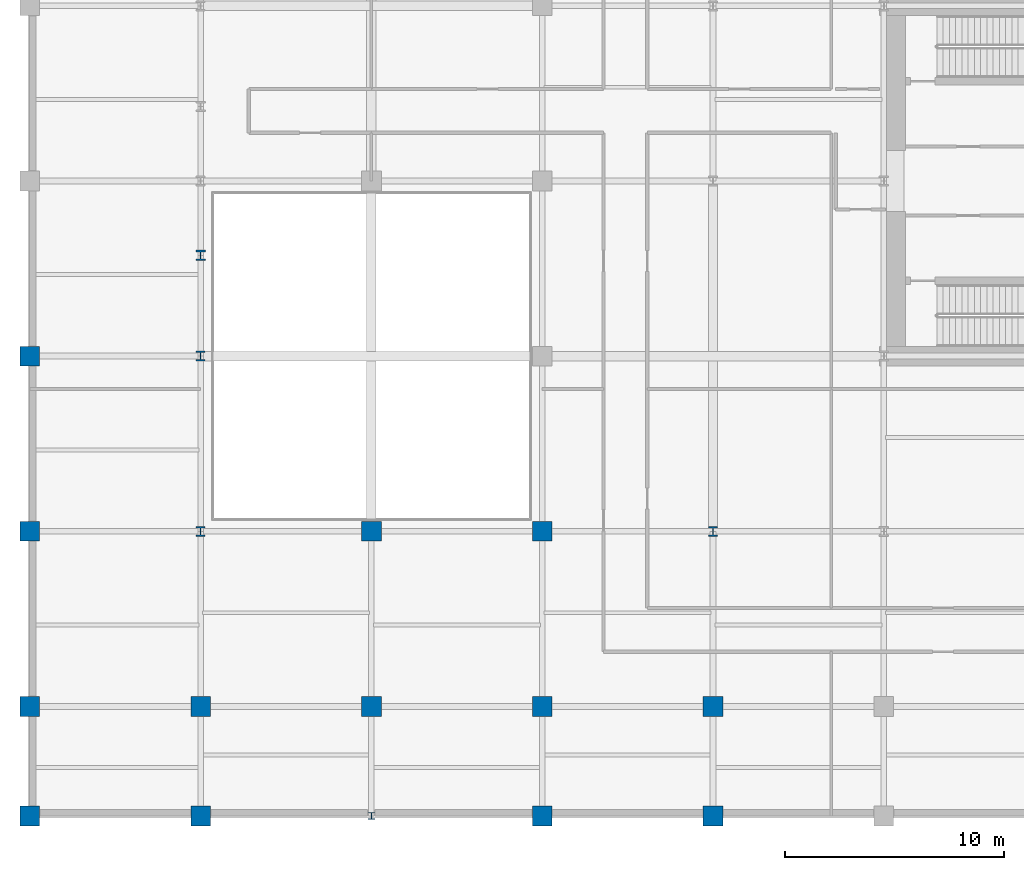
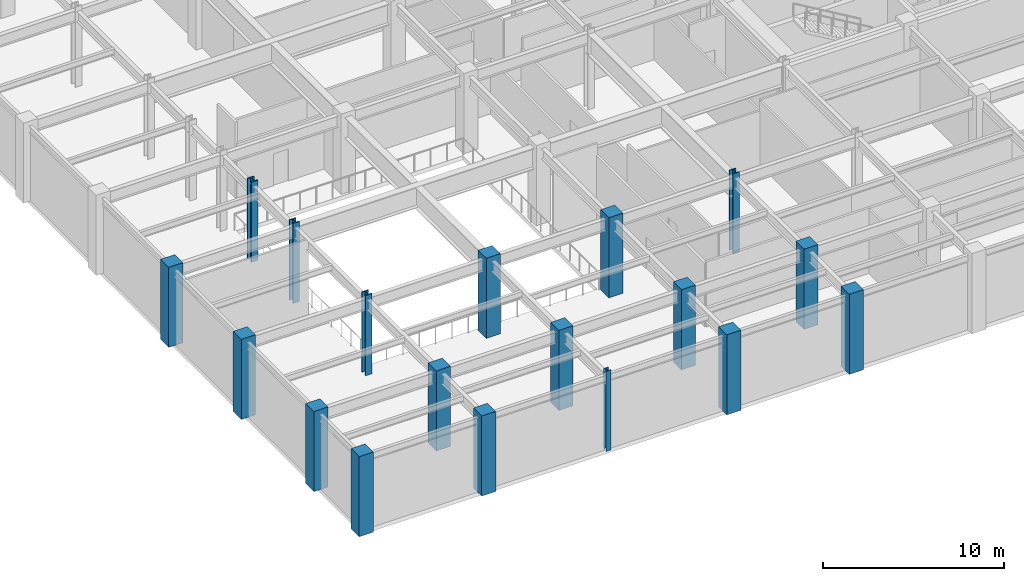
# One storey, part 1 of 13: 18 columns.
"""IFC4 building model written with IfcOpenShell, lengths in metres."""

import ifcopenshell
import ifcopenshell.guid

model = None  # the IFC model being written
_history = None  # IfcOwnerHistory: only IFC2X3 demands one
_inside = {}  # id of a spatial element -> (the spatial element, [elements in it])
_under = {}  # id of a project, library or spatial element -> (it, [spatial elements below it])
_declared = {}  # id of a project -> (the project, [libraries it declares])
_typed = {}  # id of a type object -> (the type object, [elements of that type])
_made_of = {}  # id of a material, layer set ... -> (it, [elements and type objects made of it])


def new_model(schema):
    """Start an empty IFC model of exactly this schema.

    Asked for "IFC4X3", IfcOpenShell would pick the latest addendum, in which some entities
    have other attributes; the version numbers below select the first issue.
    IFC2X3 requires an IfcOwnerHistory on every rooted entity: one is made here for all.
    """
    global model, _history
    if schema == "IFC4X3":
        model = ifcopenshell.file(schema_version=(4, 3, 0, 0))
    else:
        model = ifcopenshell.file(schema=schema)
    _inside.clear()
    _under.clear()
    _declared.clear()
    _typed.clear()
    _made_of.clear()
    _history = None
    if model.schema == "IFC2X3":
        org = make("IfcOrganization", Name="unknown")
        user = make(
            "IfcPersonAndOrganization",
            ThePerson=make("IfcPerson", FamilyName="unknown"),
            TheOrganization=org,
        )
        app = make(
            "IfcApplication",
            ApplicationDeveloper=org,
            Version="unknown",
            ApplicationFullName="unknown",
            ApplicationIdentifier="unknown",
        )
        _history = make(
            "IfcOwnerHistory",
            OwningUser=user,
            OwningApplication=app,
            ChangeAction="ADDED",
            CreationDate=0,
        )
    return model


def make(cls, **values):
    """One entity of the class cls with the attributes given. An attribute that is None is left unset."""
    return model.create_entity(
        cls, **{name: value for name, value in values.items() if value is not None}
    )


def rooted(cls, **values):
    """An entity with a GlobalId (a new one), such as an element, a storey or a relation."""
    return make(cls, GlobalId=ifcopenshell.guid.new(), OwnerHistory=_history, **values)


def si_unit(unit_type, name, prefix=None):
    """IfcSIUnit, for example si_unit("LENGTHUNIT", "METRE", prefix="MILLI")."""
    return make("IfcSIUnit", UnitType=unit_type, Prefix=prefix, Name=name)


def assignment(units):
    """IfcUnitAssignment: the units of a project."""
    return None if units is None else make("IfcUnitAssignment", Units=units)


def point(xyz):
    """IfcCartesianPoint."""
    return None if xyz is None else make("IfcCartesianPoint", Coordinates=xyz)


def direction(xyz):
    """IfcDirection."""
    return None if xyz is None else make("IfcDirection", DirectionRatios=xyz)


def frame(location, z_axis=None, x_axis=None):
    """IfcAxis2Placement3D, a coordinate frame: its origin and axes. An axis left out is left unset."""
    return make(
        "IfcAxis2Placement3D",
        Location=point(location),
        Axis=direction(z_axis),
        RefDirection=direction(x_axis),
    )


def frame_2d(location, x_axis=None):
    """IfcAxis2Placement2D, a coordinate frame in the plane: its origin and x axis."""
    return make(
        "IfcAxis2Placement2D", Location=point(location), RefDirection=direction(x_axis)
    )


def origin():
    """The frame at (0, 0, 0) with its axes left unset."""
    return frame((0.0, 0.0, 0.0))


def origin_2d():
    """The frame at (0, 0) in the plane with its x axis left unset."""
    return frame_2d((0.0, 0.0))


def place(relative_to, where):
    """IfcLocalPlacement: puts the frame where relative to a parent placement (None: the world)."""
    return make(
        "IfcLocalPlacement", PlacementRelTo=relative_to, RelativePlacement=where
    )


def context(
    kind, dimensions, precision=None, world=None, true_north=None, identifier=None
):
    """IfcGeometricRepresentationContext, for example the 3D "Model" context."""
    return make(
        "IfcGeometricRepresentationContext",
        ContextIdentifier=identifier,
        ContextType=kind,
        CoordinateSpaceDimension=dimensions,
        Precision=precision,
        WorldCoordinateSystem=world,
        TrueNorth=true_north,
    )


def subcontext(parent, identifier, kind, view, scale=None):
    """IfcGeometricRepresentationSubContext, for example "Body" below "Model"."""
    return make(
        "IfcGeometricRepresentationSubContext",
        ContextIdentifier=identifier,
        ContextType=kind,
        ParentContext=parent,
        TargetScale=scale,
        TargetView=view,
    )


def project(units=None, contexts=None):
    """IfcProject with its units and contexts."""
    return rooted(
        "IfcProject",
        Name="project",
        RepresentationContexts=contexts,
        UnitsInContext=assignment(units),
    )


def spatial(cls, under=None, at=None, **own):
    """A site, building, storey or space (cls), placed at a placement, below another one or the project."""
    s = rooted(cls, ObjectPlacement=at, **own)
    if under is not None:
        _under.setdefault(under.id(), (under, []))[1].append(s)
    return s


def profile(cls, at=None, kind="AREA", **sizes):
    """A parametric profile (cls). Its sizes go by their IFC names, for example OverallWidth=200.0."""
    return make(cls, ProfileType=kind, Position=at, **sizes)


def rectangle(**sizes):
    """IfcRectangleProfileDef."""
    return profile("IfcRectangleProfileDef", **sizes)


def i_section(**sizes):
    """IfcIShapeProfileDef."""
    return profile("IfcIShapeProfileDef", **sizes)


def extrude(swept, where, along, depth):
    """IfcExtrudedAreaSolid: the profile swept, set in the frame where, extruded along a direction by depth."""
    return make(
        "IfcExtrudedAreaSolid",
        SweptArea=swept,
        Position=where,
        ExtrudedDirection=direction(along),
        Depth=depth,
    )


def shape(context_of_items, identifier, shape_type, items):
    """IfcShapeRepresentation: the items that make up one representation, for example the "Body"."""
    return make(
        "IfcShapeRepresentation",
        ContextOfItems=context_of_items,
        RepresentationIdentifier=identifier,
        RepresentationType=shape_type,
        Items=items,
    )


def material(Name=None, Category=None):
    """IfcMaterial."""
    return make("IfcMaterial", Name=Name, Category=Category)


def material_profile(
    of_material, cross_section, Name=None, Category=None, Priority=None
):
    """IfcMaterialProfile: a cross section and its material."""
    return make(
        "IfcMaterialProfile",
        Name=Name,
        Material=of_material,
        Profile=cross_section,
        Priority=Priority,
        Category=Category,
    )


def profile_set(profiles, Name=None, composite=None):
    """IfcMaterialProfileSet."""
    return make(
        "IfcMaterialProfileSet",
        Name=Name,
        MaterialProfiles=profiles,
        CompositeProfile=composite,
    )


def made_of(thing, what):
    """Note that an element or type object is made of a material, layer set ...; save() writes the relation."""
    if what is not None:
        _made_of.setdefault(what.id(), (what, []))[1].append(thing)
    return thing


def type_object(cls, material=None, **own):
    """A type object (cls), such as IfcWallType, which elements share."""
    return made_of(rooted(cls, **own), material)


def element(
    cls,
    number,
    at=None,
    inside=None,
    cuts=None,
    type_object=None,
    material=None,
    context=None,
    identifier="Body",
    shape_type=None,
    held_by="IfcProductDefinitionShape",
    body=None,
    shapes=None,
    **own,
):
    """One element of the class cls, such as IfcWall. Its Tag is "e" and its number.

    at: its placement. inside: the storey or other place that contains it. cuts: it is an
    opening in that element (IfcRelVoidsElement). A single representation is given by context,
    identifier, shape_type and body (its items); several are given by shapes. held_by: the class
    of the entity that holds the representations. save() writes the other relations.
    """
    e = rooted(cls, Tag="e%d" % number, ObjectPlacement=at, **own)
    if body is not None:
        shapes = [shape(context, identifier, shape_type, body)]
    if shapes is not None:
        e.Representation = make(held_by, Representations=shapes)
    if inside is not None:
        _inside.setdefault(inside.id(), (inside, []))[1].append(e)
    if cuts is not None:
        rooted(
            "IfcRelVoidsElement", RelatingBuildingElement=cuts, RelatedOpeningElement=e
        )
    if type_object is not None:
        _typed.setdefault(type_object.id(), (type_object, []))[1].append(e)
    return made_of(e, material)


def aggregate(whole, parts):
    """IfcRelAggregates: a whole, such as a stair, and the parts it consists of."""
    return rooted("IfcRelAggregates", RelatingObject=whole, RelatedObjects=parts)


def save(model, path):
    """Write the relations noted so far, then the file.

    IfcRelAggregates (storeys below a building ...), IfcRelContainedInSpatialStructure (elements
    in a storey), IfcRelDefinesByType, IfcRelAssociatesMaterial and IfcRelDeclares: one each for
    every whole, place, type object, material and project.
    """
    for whole, parts in _under.values():
        aggregate(whole, parts)
    for where, things in _inside.values():
        rooted(
            "IfcRelContainedInSpatialStructure",
            RelatedElements=things,
            RelatingStructure=where,
        )
    for kind, things in _typed.values():
        rooted("IfcRelDefinesByType", RelatedObjects=things, RelatingType=kind)
    for what, things in _made_of.values():
        rooted("IfcRelAssociatesMaterial", RelatedObjects=things, RelatingMaterial=what)
    for by, libraries in _declared.values():
        rooted("IfcRelDeclares", RelatingContext=by, RelatedDefinitions=libraries)
    model.write(path)


model = new_model("IFC4")

# Units and contexts
model_context = context("Model", 3, precision=1e-05, world=origin(), true_north=direction((0.0, 1.0)))
body_context = subcontext(model_context, "Body", "Model", "MODEL_VIEW")
ifc_project = project(units=[si_unit("LENGTHUNIT", "METRE"), si_unit("AREAUNIT", "SQUARE_METRE"), si_unit("VOLUMEUNIT", "CUBIC_METRE"), si_unit("PLANEANGLEUNIT", "RADIAN"), si_unit("MASSUNIT", "GRAM", prefix="KILO")], contexts=[model_context])

# Site, building, storey
site_placement = place(None, origin())
site = spatial("IfcSite", under=ifc_project, at=site_placement, CompositionType="ELEMENT")
building_placement = place(site_placement, origin())
building = spatial("IfcBuilding", under=site, at=building_placement, Name="Veymaron Broadcast Tower", CompositionType="ELEMENT")
storey_placement = place(building_placement, frame((0.0, 0.0, 21.60009765625)))
storey = spatial("IfcBuildingStorey", under=building, at=storey_placement, Name="L04", CompositionType="ELEMENT", Elevation=21.60009765625)

# Columns
ifc_material_1 = material(Name="Structural steel ASTM A913 Gr 65", Category="steel")
ifc_material_profile_1 = material_profile(ifc_material_1, i_section(OverallWidth=0.424072265625, OverallDepth=0.47412109375, WebThickness=0.047607421875, FlangeThickness=0.076904296875, at=origin_2d()), Name="W360X634")
ifc_profile_set_1 = profile_set([ifc_material_profile_1], Name="Structural steel ASTM A913 Gr 65")
column_type_1 = type_object("IfcColumnType", Name="COL-MC1", PredefinedType="COLUMN", material=ifc_profile_set_1)
column_1_placement = place(storey_placement, frame((7.800048828125, 20.60009765625, 0.0), z_axis=(0.0, 0.0, 1.0), x_axis=(1.0, 0.0, 0.0)))
element("IfcColumn", 1, at=column_1_placement, inside=storey, type_object=column_type_1, Name="L04 Mega Column podium base", PredefinedType="COLUMN", context=body_context, shape_type="SweptSolid", body=[
    extrude(i_section(OverallWidth=0.424072265625, OverallDepth=0.47412109375, WebThickness=0.047607421875, FlangeThickness=0.076904296875, at=origin_2d()), origin(), (0.0, 0.0, 1.0), 5.393798828125),
])
ifc_material_profile_2 = material_profile(ifc_material_1, i_section(OverallWidth=0.41796875, OverallDepth=0.455078125, WebThickness=0.0419921875, FlangeThickness=0.067626953125, at=origin_2d()), Name="W360X551")
ifc_profile_set_2 = profile_set([ifc_material_profile_2], Name="Structural steel ASTM A913 Gr 65")
column_type_2 = type_object("IfcColumnType", Name="COL-MC2", PredefinedType="COLUMN", material=ifc_profile_set_2)
for number, where, z_axis, x_axis, name in (
    (2, (7.800048828125, 8.0, 0.0), (0.0, 0.0, 1.0), (1.0, 0.0, 0.0), "L04 column (7.8, 8.0)"),
    (3, (7.800048828125, 16.0, 0.0), (0.0, 0.0, 1.0), (1.0, 0.0, 0.0), "L04 column (7.8, 16.0)"),
    (4, (31.199951171875, 8.0, 0.0), (0.0, 0.0, 1.0), (1.0, 0.0, 0.0), "L04 column (31.2, 8.0)"),
):
    element("IfcColumn", number, at=place(storey_placement, frame(where, z_axis=z_axis, x_axis=x_axis)), inside=storey, type_object=column_type_2, Name=name, PredefinedType="COLUMN", context=body_context, shape_type="SweptSolid", body=[
        extrude(i_section(OverallWidth=0.41796875, OverallDepth=0.455078125, WebThickness=0.0419921875, FlangeThickness=0.067626953125, at=origin_2d()), origin(), (0.0, 0.0, 1.0), 5.39501953125),
    ])
ifc_material_2 = material(Name="Concrete C50/60", Category="concrete")
ifc_material_profile_3 = material_profile(ifc_material_2, rectangle(XDim=0.89990234375, YDim=0.89990234375, at=origin_2d()), Name="RC900X900")
ifc_profile_set_3 = profile_set([ifc_material_profile_3], Name="Concrete C50/60")
column_type_3 = type_object("IfcColumnType", Name="COL-RC4", PredefinedType="COLUMN", material=ifc_profile_set_3)
for number, where, z_axis, x_axis, name in (
    (5, (0.0, -5.0, 0.0), (0.0, 0.0, 1.0), (1.0, 0.0, 0.0), "L04 column (0.0, -5.0)"),
    (6, (0.0, 0.0, 0.0), (0.0, 0.0, 1.0), (1.0, 0.0, 0.0), "L04 column (0.0, 0.0)"),
    (7, (0.0, 8.0, 0.0), (0.0, 0.0, 1.0), (1.0, 0.0, 0.0), "L04 column (0.0, 8.0)"),
    (8, (0.0, 16.0, 0.0), (0.0, 0.0, 1.0), (1.0, 0.0, 0.0), "L04 column (0.0, 16.0)"),
    (9, (7.800048828125, -5.0, 0.0), (0.0, 0.0, 1.0), (1.0, 0.0, 0.0), "L04 column (7.8, -5.0)"),
    (10, (7.800048828125, 0.0, 0.0), (0.0, 0.0, 1.0), (1.0, 0.0, 0.0), "L04 column (7.8, 0.0)"),
    (11, (15.60009765625, 0.0, 0.0), (0.0, 0.0, 1.0), (1.0, 0.0, 0.0), "L04 column (15.6, 0.0)"),
    (12, (15.60009765625, 8.0, 0.0), (0.0, 0.0, 1.0), (1.0, 0.0, 0.0), "L04 column (15.6, 8.0)"),
    (13, (23.39990234375, -5.0, 0.0), (0.0, 0.0, 1.0), (1.0, 0.0, 0.0), "L04 column (23.4, -5.0)"),
    (14, (23.39990234375, 0.0, 0.0), (0.0, 0.0, 1.0), (1.0, 0.0, 0.0), "L04 column (23.4, 0.0)"),
    (15, (23.39990234375, 8.0, 0.0), (0.0, 0.0, 1.0), (1.0, 0.0, 0.0), "L04 column (23.4, 8.0)"),
    (16, (31.199951171875, -5.0, 0.0), (0.0, 0.0, 1.0), (1.0, 0.0, 0.0), "L04 column (31.2, -5.0)"),
    (17, (31.199951171875, 0.0, 0.0), (0.0, 0.0, 1.0), (1.0, 0.0, 0.0), "L04 column (31.2, 0.0)"),
):
    element("IfcColumn", number, at=place(storey_placement, frame(where, z_axis=z_axis, x_axis=x_axis)), inside=storey, type_object=column_type_3, Name=name, PredefinedType="COLUMN", context=body_context, shape_type="SweptSolid", body=[
        extrude(rectangle(XDim=0.89990234375, YDim=0.89990234375, at=origin_2d()), origin(), (0.0, 0.0, 1.0), 5.39501953125),
    ])
ifc_material_3 = material(Name="Structural steel ASTM A992 Gr 50", Category="steel")
ifc_material_profile_4 = material_profile(ifc_material_3, i_section(OverallWidth=0.306884765625, OverallDepth=0.31396484375, WebThickness=0.010986328125, FlangeThickness=0.018798828125, at=origin_2d()), Name="W310X117")
ifc_profile_set_4 = profile_set([ifc_material_profile_4], Name="Structural steel ASTM A992 Gr 50")
column_type_4 = type_object("IfcColumnType", Name="COL-SC3", PredefinedType="COLUMN", material=ifc_profile_set_4)
column_2_placement = place(storey_placement, frame((15.60009765625, -5.0, 0.0), z_axis=(0.0, 0.0, 1.0), x_axis=(1.0, 0.0, 0.0)))
element("IfcColumn", 18, at=column_2_placement, inside=storey, type_object=column_type_4, Name="L04 column (15.6, -5.0)", PredefinedType="COLUMN", context=body_context, shape_type="SweptSolid", body=[
    extrude(i_section(OverallWidth=0.306884765625, OverallDepth=0.31396484375, WebThickness=0.010986328125, FlangeThickness=0.018798828125, at=origin_2d()), origin(), (0.0, 0.0, 1.0), 5.39501953125),
])

save(model, "model.ifc")
